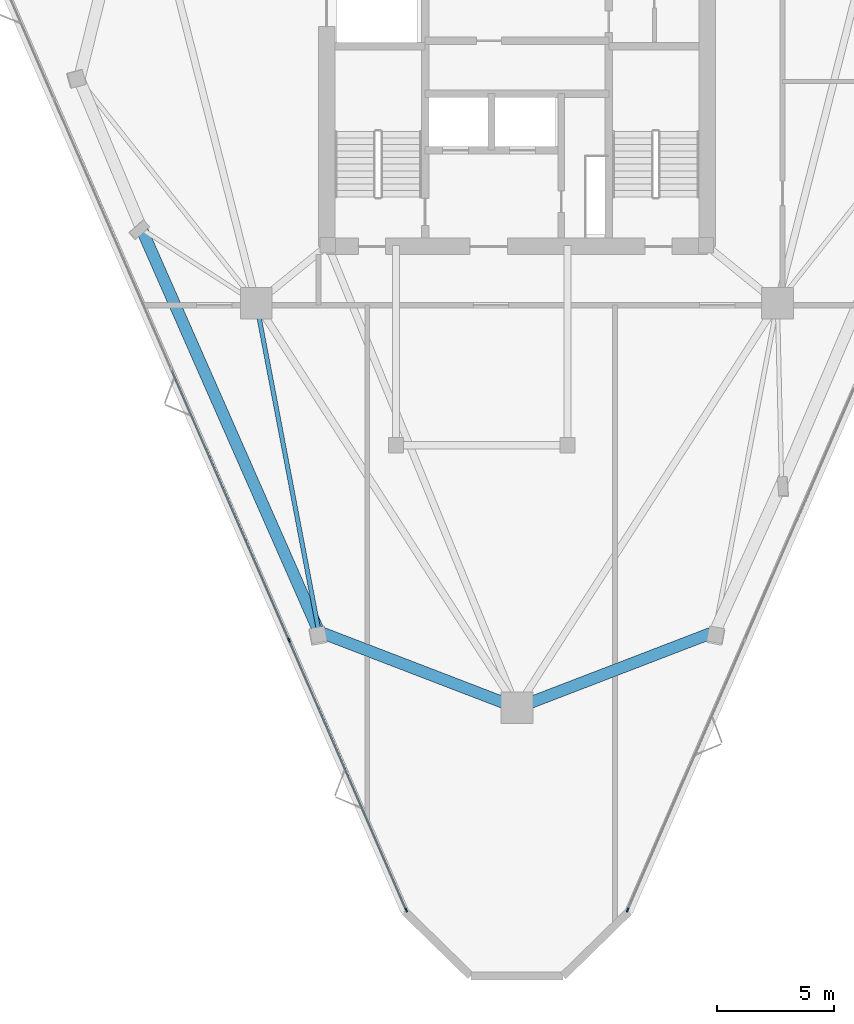
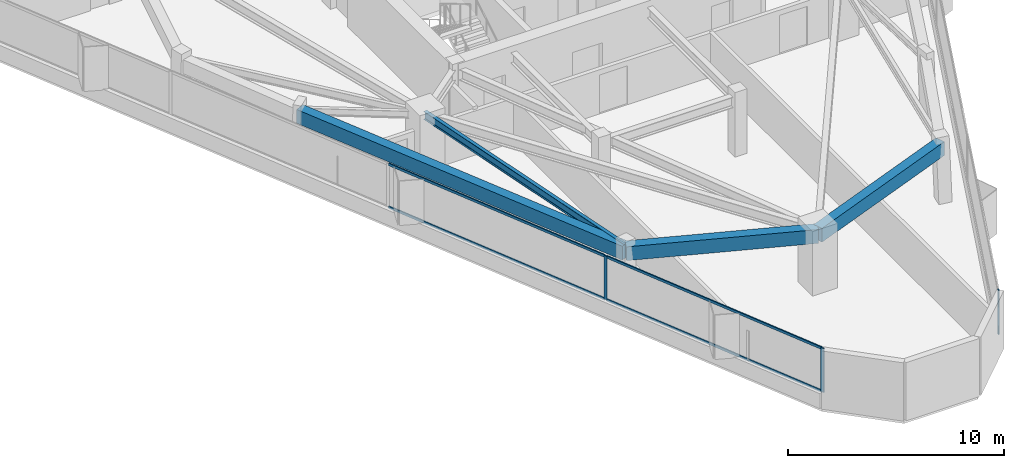
# One storey, part 2 of 12: 7 members, 4 beams, 2 elements without a shape of their own.
"""IFC4 building model written with IfcOpenShell, lengths in metres."""

from ifc_helpers import new_model, si_unit, direction, frame, origin, origin_2d, place, context, subcontext, project, spatial, rectangle, i_section, extrude, material, layer, layer_set, material_profile, profile_set, type_object, element, aggregate, save


model = new_model("IFC4")

# Units and contexts
model_context = context("Model", 3, precision=1e-05, world=origin(), true_north=direction((0.0, 1.0)))
body_context = subcontext(model_context, "Body", "Model", "MODEL_VIEW")
ifc_project = project(units=[si_unit("LENGTHUNIT", "METRE"), si_unit("AREAUNIT", "SQUARE_METRE"), si_unit("VOLUMEUNIT", "CUBIC_METRE"), si_unit("PLANEANGLEUNIT", "RADIAN"), si_unit("MASSUNIT", "GRAM", prefix="KILO")], contexts=[model_context])

# Site, building, storey
site_placement = place(None, origin())
site = spatial("IfcSite", under=ifc_project, at=site_placement, CompositionType="ELEMENT")
building_placement = place(site_placement, origin())
building = spatial("IfcBuilding", under=site, at=building_placement, Name="Talyreon Biosciences Tower", CompositionType="ELEMENT")
storey_placement = place(building_placement, frame((0.0, 0.0, 219.550048828125)))
storey = spatial("IfcBuildingStorey", under=building, at=storey_placement, Name="L58", CompositionType="ELEMENT", Elevation=219.550048828125)

# Curtain wall, members
ifc_material_1 = material(Name="Thermally broken aluminium and low-E glazing", Category="aluminium")
ifc_layer = layer(ifc_material_1, 0.179931640625)
ifc_layer_set = layer_set([ifc_layer], Name="Thermally broken aluminium and low-E glazing")
curtain_wall_type = type_object("IfcCurtainWallType", Name="CurtainWall_Zone4Optical", PredefinedType="NOTDEFINED", material=ifc_layer_set)
curtain_wall_1_placement = place(storey_placement, origin())
curtain_wall_1 = element("IfcCurtainWall", 1, at=curtain_wall_1_placement, inside=storey, type_object=curtain_wall_type, Name="L58 Unitised Curtain Wall FCW-L58-00", PredefinedType="NOTDEFINED")
ifc_material_2 = material(Name="Anodised thermally broken aluminium", Category="aluminium")
ifc_material_profile_1 = material_profile(ifc_material_2, rectangle(XDim=0.06494140625, YDim=0.179931640625, at=origin_2d()), Name="ALUM MULLION 65x180")
ifc_profile_set_1 = profile_set([ifc_material_profile_1], Name="Anodised thermally broken aluminium")
member_type_1 = type_object("IfcMemberType", Name="CWMullion_65x180", PredefinedType="MULLION", material=ifc_profile_set_1)
member_1_placement = place(storey_placement, frame((61.290771484375, 33.060546875, 0.81005859375), z_axis=(0.0, 0.0, 1.0), x_axis=(-0.917221993355, -0.398376473835, 0.0)))
member_1 = element("IfcMember", 2, at=member_1_placement, type_object=member_type_1, Name="CW5 mullion 1", PredefinedType="MULLION", context=body_context, shape_type="SweptSolid", body=[
    extrude(rectangle(XDim=0.06494140625, YDim=0.179931640625, at=origin_2d()), origin(), (0.0, 0.0, 1.0), 2.489990234375),
])
member_2_placement = place(storey_placement, frame((56.3037109375, 44.542724609375, 0.81005859375), z_axis=(0.0, 0.0, 1.0), x_axis=(-0.917221993355, -0.398376473835, 0.0)))
member_2 = element("IfcMember", 3, at=member_2_placement, type_object=member_type_1, Name="CW5 mullion 2", PredefinedType="MULLION", context=body_context, shape_type="SweptSolid", body=[
    extrude(rectangle(XDim=0.06494140625, YDim=0.179931640625, at=origin_2d()), origin(), (0.0, 0.0, 1.0), 2.489990234375),
])

# Curtain wall, member
curtain_wall_2_placement = place(storey_placement, origin())
curtain_wall_2 = element("IfcCurtainWall", 4, at=curtain_wall_2_placement, inside=storey, type_object=curtain_wall_type, Name="L58 Unitised Curtain Wall FCW-L58-08", PredefinedType="NOTDEFINED")
member_3_placement = place(storey_placement, frame((70.709228515625, 33.060546875, 0.81005859375), z_axis=(0.0, 0.0, 1.0), x_axis=(0.917221993355, -0.398376473835, 0.0)))
member_3 = element("IfcMember", 5, at=member_3_placement, type_object=member_type_1, Name="CW5 mullion 5", PredefinedType="MULLION", context=body_context, shape_type="SweptSolid", body=[
    extrude(rectangle(XDim=0.06494140625, YDim=0.179931640625, at=origin_2d()), origin(), (0.0, 0.0, 1.0), 2.489990234375),
])
aggregate(curtain_wall_2, [member_3])

# Member
ifc_material_profile_2 = material_profile(ifc_material_2, rectangle(XDim=0.06494140625, YDim=0.139892578125, at=origin_2d()), Name="ALUM TRANSOM 65x140")
ifc_profile_set_2 = profile_set([ifc_material_profile_2], Name="Anodised thermally broken aluminium")
member_type_2 = type_object("IfcMemberType", Name="CWTransom_65x140", PredefinedType="USERDEFINED", material=ifc_profile_set_2)
member_4_placement = place(storey_placement, frame((61.27783203125, 33.09033203125, 0.842529296875), z_axis=(-0.398376978135, 0.917221774323, 0.0), x_axis=(-0.917221774323, -0.398376978135, 0.0)))
member_4 = element("IfcMember", 6, at=member_4_placement, type_object=member_type_2, Name="CW5 transom 1.1", ObjectType="TRANSOM", PredefinedType="USERDEFINED", context=body_context, shape_type="SweptSolid", body=[
    extrude(rectangle(XDim=0.06494140625, YDim=0.139892578125, at=origin_2d()), origin(), (0.0, 0.0, 1.0), 12.453369140625),
])

member_5_placement = place(storey_placement, frame((61.27783203125, 33.09033203125, 3.267333984375), z_axis=(-0.398376978135, 0.917221774323, 0.0), x_axis=(-0.917221774323, -0.398376978135, 0.0)))
member_5 = element("IfcMember", 7, at=member_5_placement, type_object=member_type_2, Name="CW5 transom 1.2", ObjectType="TRANSOM", PredefinedType="USERDEFINED", context=body_context, shape_type="SweptSolid", body=[
    extrude(rectangle(XDim=0.06494140625, YDim=0.139892578125, at=origin_2d()), origin(), (0.0, 0.0, 1.0), 12.453369140625),
])

member_6_placement = place(storey_placement, frame((56.290771484375, 44.572509765625, 0.842529296875), z_axis=(-0.39837717116, 0.917221690486, 0.0), x_axis=(-0.917221690486, -0.39837717116, 0.0)))
member_6 = element("IfcMember", 8, at=member_6_placement, type_object=member_type_2, Name="CW5 transom 2.1", ObjectType="TRANSOM", PredefinedType="USERDEFINED", context=body_context, shape_type="SweptSolid", body=[
    extrude(rectangle(XDim=0.06494140625, YDim=0.139892578125, at=origin_2d()), origin(), (0.0, 0.0, 1.0), 12.48583984375),
])

member_7_placement = place(storey_placement, frame((56.290771484375, 44.572509765625, 3.267333984375), z_axis=(-0.39837717116, 0.917221690486, 0.0), x_axis=(-0.917221690486, -0.39837717116, 0.0)))
member_7 = element("IfcMember", 9, at=member_7_placement, type_object=member_type_2, Name="CW5 transom 2.2", ObjectType="TRANSOM", PredefinedType="USERDEFINED", context=body_context, shape_type="SweptSolid", body=[
    extrude(rectangle(XDim=0.06494140625, YDim=0.139892578125, at=origin_2d()), origin(), (0.0, 0.0, 1.0), 12.48583984375),
])

aggregate(curtain_wall_1, [member_1, member_2, member_4, member_5, member_6, member_7])

# Beams
ifc_material_3 = material(Name="Precast concrete C45/55", Category="concrete")
ifc_material_profile_3 = material_profile(ifc_material_3, rectangle(XDim=0.5, YDim=0.780029296875, at=origin_2d()), Name="RCB 500x780")
ifc_profile_set_3 = profile_set([ifc_material_profile_3], Name="Precast concrete C45/55")
beam_type_1 = type_object("IfcBeamType", Name="ExpressedSpandrel_500x780", PredefinedType="SPANDREL", material=ifc_profile_set_3)
beam_1_placement = place(storey_placement, frame((66.0, 41.6669921875, 2.909912109375), z_axis=(0.933381155773, 0.358886636764, 0.0), x_axis=(-0.358886636764, 0.933381155773, 0.0)))
element("IfcBeam", 10, at=beam_1_placement, inside=storey, type_object=beam_type_1, Name="L58 Expressed Horizontal Concrete Spandrel 01", PredefinedType="SPANDREL", context=body_context, shape_type="SweptSolid", body=[
    extrude(rectangle(XDim=0.5, YDim=0.780029296875, at=origin_2d()), origin(), (0.0, 0.0, 1.0), 9.02587890625),
])
beam_2_placement = place(storey_placement, frame((50.02685546875, 62.043701171875, 2.909912109375), z_axis=(0.403101216176, -0.91515540184, 0.0), x_axis=(0.91515540184, 0.403101216176, 0.0)))
element("IfcBeam", 11, at=beam_2_placement, inside=storey, type_object=beam_type_1, Name="L58 Expressed Horizontal Concrete Spandrel 11", PredefinedType="SPANDREL", context=body_context, shape_type="SweptSolid", body=[
    extrude(rectangle(XDim=0.5, YDim=0.780029296875, at=origin_2d()), origin(), (0.0, 0.0, 1.0), 18.726318359375),
])
beam_3_placement = place(storey_placement, frame((57.575439453125, 44.90625, 2.909912109375), z_axis=(0.933381155773, -0.358886636764, 0.0), x_axis=(0.358886636764, 0.933381155773, 0.0)))
element("IfcBeam", 12, at=beam_3_placement, inside=storey, type_object=beam_type_1, Name="L58 Expressed Horizontal Concrete Spandrel 12", PredefinedType="SPANDREL", context=body_context, shape_type="SweptSolid", body=[
    extrude(rectangle(XDim=0.5, YDim=0.780029296875, at=origin_2d()), origin(), (0.0, 0.0, 1.0), 9.02587890625),
])
ifc_material_4 = material(Name="Steel SM355", Category="steel")
ifc_material_profile_4 = material_profile(ifc_material_4, i_section(OverallWidth=0.18994140625, OverallDepth=0.449951171875, WebThickness=0.009521484375, FlangeThickness=0.0146484375, FilletRadius=0.02099609375, at=origin_2d()), Name="IPE450")
ifc_profile_set_4 = profile_set([ifc_material_profile_4], Name="Steel SM355")
beam_type_2 = type_object("IfcBeamType", Name="SteelJoist_IPE450", PredefinedType="JOIST", material=ifc_profile_set_4)
beam_4_placement = place(storey_placement, frame((54.913818359375, 58.88037109375, 3.074951171875), z_axis=(0.187104221453, -0.982340068568, 0.0), x_axis=(0.982340068568, 0.187104221453, 0.0)))
element("IfcBeam", 13, at=beam_4_placement, inside=storey, type_object=beam_type_2, Name="L58 Radial Composite Floor Joist PC-SW2", PredefinedType="JOIST", context=body_context, shape_type="SweptSolid", body=[
    extrude(i_section(OverallWidth=0.18994140625, OverallDepth=0.449951171875, WebThickness=0.009521484375, FlangeThickness=0.0146484375, FilletRadius=0.02099609375, at=origin_2d()), origin(), (0.0, 0.0, 1.0), 14.225341796875),
])

save(model, "model.ifc")
